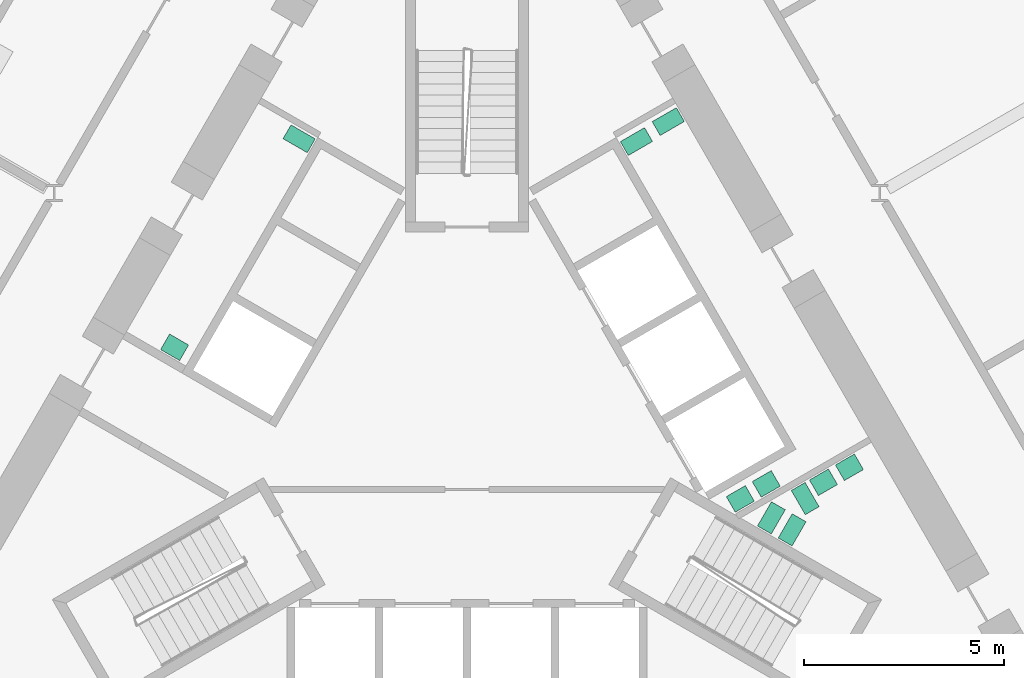
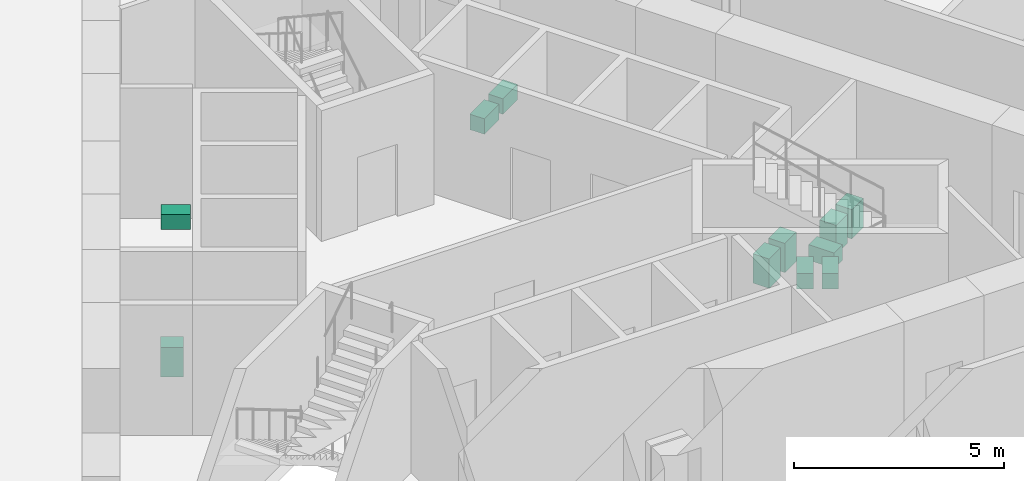
# One storey, part 20 of 21: 11 sanitary terminals.
"""IFC4 building model written with IfcOpenShell, lengths in metres."""

from ifc_helpers import new_model, si_unit, direction, frame, origin, origin_2d, place, context, subcontext, project, spatial, rectangle, extrude, material, type_object, element, save


model = new_model("IFC4")

# Units and contexts
model_context = context("Model", 3, precision=1e-05, world=origin(), true_north=direction((0.0, 1.0)))
body_context = subcontext(model_context, "Body", "Model", "MODEL_VIEW")
ifc_project = project(units=[si_unit("LENGTHUNIT", "METRE"), si_unit("AREAUNIT", "SQUARE_METRE"), si_unit("VOLUMEUNIT", "CUBIC_METRE"), si_unit("PLANEANGLEUNIT", "RADIAN"), si_unit("MASSUNIT", "GRAM", prefix="KILO")], contexts=[model_context])

# Site, building, storey
site_placement = place(None, origin())
site = spatial("IfcSite", under=ifc_project, at=site_placement, CompositionType="ELEMENT")
building_placement = place(site_placement, origin())
building = spatial("IfcBuilding", under=site, at=building_placement, Name="Cormorant Prow Tower", CompositionType="ELEMENT")
storey_placement = place(building_placement, frame((0.0, 0.0, 150.0)))
storey = spatial("IfcBuildingStorey", under=building, at=storey_placement, Name="L32", CompositionType="ELEMENT", Elevation=150.0)

# Sanitary terminals
ifc_material_1 = material(Name="Vitreous china")
sanitary_terminal_type_1 = type_object("IfcSanitaryTerminalType", Name="Wash basin 550x450", PredefinedType="WASHHANDBASIN", material=ifc_material_1)
for number, where, z_axis, x_axis, name in (
    (1, (8.917236328125, -1.2724609375, 0.0), (0.0, 0.0, 1.0), (-0.866025403784, -0.5, 0.0), "Wash basin"),
    (2, (9.566650390625, -0.8974609375, 0.0), (0.0, 0.0, 1.0), (-0.866025403784, -0.5, 0.0), "Wash basin"),
    (3, (6.8369140625, -1.6884765625, 0.0), (0.0, 0.0, 1.0), (0.866025403784, 0.5, 0.0), "Wash basin"),
    (4, (7.486328125, -1.3134765625, 0.0), (0.0, 0.0, 1.0), (0.866025403784, 0.5, 0.0), "Wash basin"),
    (5, (-7.314208984375, 2.10400390625, 0.0), (0.0, 0.0, 1.0), (0.866007949964, -0.500030229685, 0.0), "Wash basin"),
):
    element("IfcSanitaryTerminal", number, at=place(storey_placement, frame(where, z_axis=z_axis, x_axis=x_axis)), inside=storey, type_object=sanitary_terminal_type_1, Name=name, PredefinedType="WASHHANDBASIN", context=body_context, shape_type="SweptSolid", body=[
        extrude(rectangle(XDim=0.550048828125, YDim=0.449951171875, at=origin_2d()), origin(), (0.0, 0.0, 1.0), 0.85009765625),
    ])
ifc_material_2 = material(Name="Vitreous china")
sanitary_terminal_type_2 = type_object("IfcSanitaryTerminalType", Name="Water closet 400x700", PredefinedType="WCSEAT", material=ifc_material_2)
for number, where, z_axis, x_axis, name in (
    (6, (7.6142578125, -2.162841796875, 0.0), (0.0, 0.0, 1.0), (0.866025403784, -0.5, 0.0), "Water closet"),
    (7, (8.1337890625, -2.462890625, 0.0), (0.0, 0.0, 1.0), (0.866025403784, -0.5, 0.0), "Water closet"),
    (8, (8.460205078125, -1.6806640625, 0.0), (0.0, 0.0, 1.0), (-0.866025403784, -0.5, 0.0), "Water closet"),
    (9, (4.238525390625, 7.250732421875, 0.0), (0.0, 0.0, 1.0), (0.5, -0.866025403784, 0.0), "Water closet"),
    (10, (5.03564453125, 7.75048828125, 0.0), (0.0, 0.0, 1.0), (-0.5, 0.866025403784, 0.0), "Water closet"),
    (11, (-4.198486328125, 7.31982421875, 0.0), (0.0, 0.0, 1.0), (0.5, 0.866025403784, 0.0), "Water closet"),
):
    element("IfcSanitaryTerminal", number, at=place(storey_placement, frame(where, z_axis=z_axis, x_axis=x_axis)), inside=storey, type_object=sanitary_terminal_type_2, Name=name, PredefinedType="WCSEAT", context=body_context, shape_type="SweptSolid", body=[
        extrude(rectangle(XDim=0.39990234375, YDim=0.699951171875, at=origin_2d()), origin(), (0.0, 0.0, 1.0), 0.449951171875),
    ])

save(model, "model.ifc")
